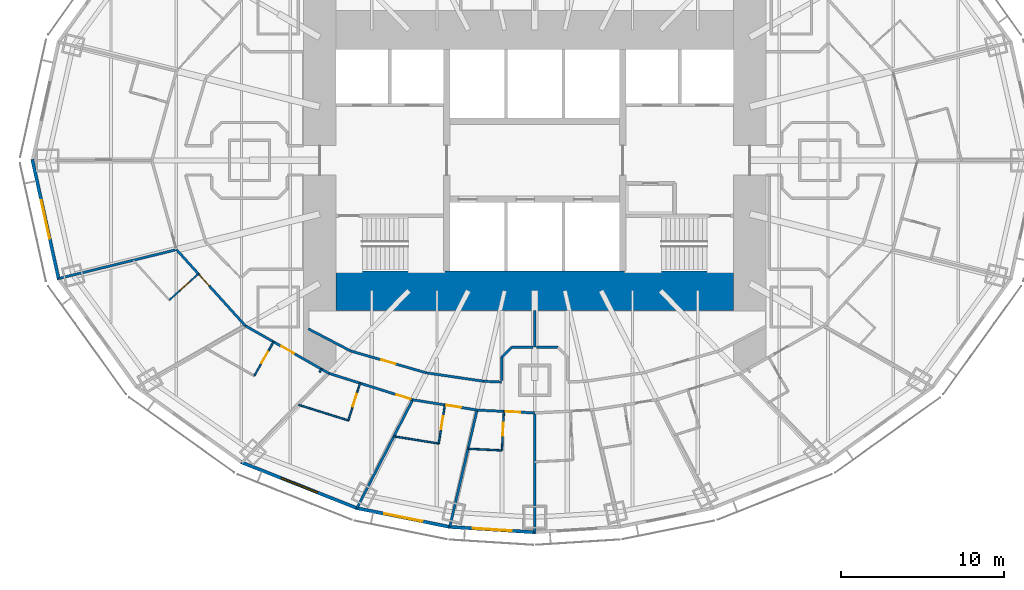
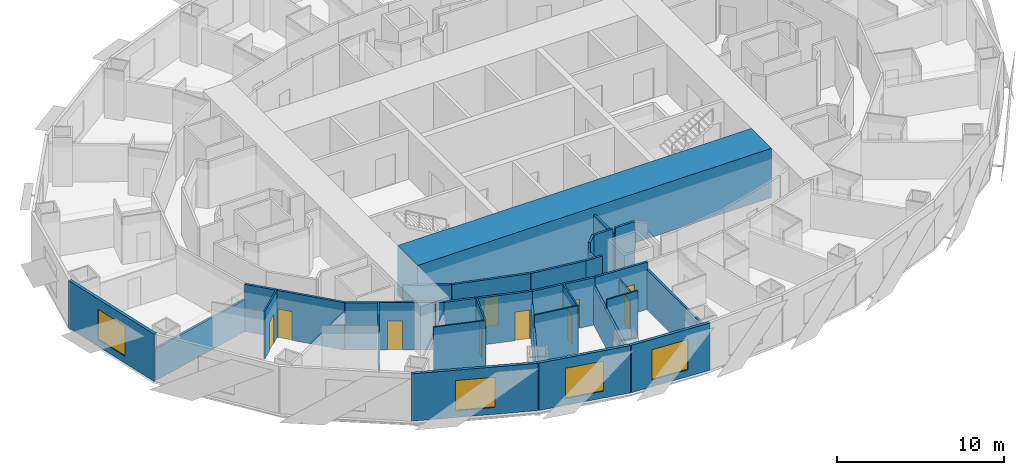
# One storey, part 5 of 17: 32 walls, 11 doors, 4 windows, 15 openings.
"""IFC4 building model written with IfcOpenShell, lengths in metres."""

from ifc_helpers import new_model, si_unit, direction, frame, frame_2d, origin, place, context, subcontext, project, spatial, rectangle, extrude, material, layer, layer_set, type_object, element, fill, save


model = new_model("IFC4")

# Units and contexts
model_context = context("Model", 3, precision=1e-05, world=origin(), true_north=direction((0.0, 1.0)))
body_context = subcontext(model_context, "Body", "Model", "MODEL_VIEW")
ifc_project = project(units=[si_unit("LENGTHUNIT", "METRE"), si_unit("AREAUNIT", "SQUARE_METRE"), si_unit("VOLUMEUNIT", "CUBIC_METRE"), si_unit("PLANEANGLEUNIT", "RADIAN"), si_unit("MASSUNIT", "GRAM", prefix="KILO")], contexts=[model_context])

# Site, building, storey
site_placement = place(None, origin())
site = spatial("IfcSite", under=ifc_project, at=site_placement, CompositionType="ELEMENT")
building_placement = place(site_placement, origin())
building = spatial("IfcBuilding", under=site, at=building_placement, Name="Lantaw Convention Tower", CompositionType="ELEMENT")
storey_placement = place(building_placement, frame((0.0, 0.0, 37.0)))
storey = spatial("IfcBuildingStorey", under=building, at=storey_placement, Name="L06", CompositionType="ELEMENT", Elevation=37.0)

# Walls
ifc_material_1 = material(Name="Gypsum board on steel studs", Category="steel")
ifc_layer_1 = layer(ifc_material_1, 0.14990234375)
ifc_layer_set_1 = layer_set([ifc_layer_1], Name="Back of house wall 150")
wall_type_1 = type_object("IfcWallType", Name="Back of house wall 150", PredefinedType="PARTITIONING", material=ifc_layer_set_1)
wall_1_placement = place(storey_placement, frame((0.0, -9.199951171875, 0.0), z_axis=(0.0, 0.0, 1.0), x_axis=(0.0, -1.0, 0.0)))
element("IfcWall", 1, at=wall_1_placement, inside=storey, type_object=wall_type_1, Name="Back of house wall 150", PredefinedType="PARTITIONING", context=body_context, shape_type="SweptSolid", body=[
    extrude(rectangle(XDim=2.26513671875, YDim=0.14990234375, at=frame_2d((1.132568359375, 0.0))), origin(), (0.0, 0.0, 1.0), 3.043701171875),
])
wall_2_placement = place(storey_placement, frame((-2.02490234375, -13.502685546875, 0.0), z_axis=(0.0, 0.0, 1.0), x_axis=(0.0, 1.0, 0.0)))
element("IfcWall", 2, at=wall_2_placement, inside=storey, type_object=wall_type_1, Name="Back of house wall 150", PredefinedType="PARTITIONING", context=body_context, shape_type="SweptSolid", body=[
    extrude(rectangle(XDim=1.42724609375, YDim=0.14990234375, at=frame_2d((0.713623046875, 0.0))), origin(), (0.0, 0.0, 1.0), 2.7490234375),
])
wall_3_placement = place(storey_placement, frame((-2.02490234375, -12.075439453125, 0.0), z_axis=(0.0, 0.0, 1.0), x_axis=(0.707106781187, 0.707106781187, 0.0)))
element("IfcWall", 3, at=wall_3_placement, inside=storey, type_object=wall_type_1, Name="Back of house wall 150", PredefinedType="PARTITIONING", context=body_context, shape_type="SweptSolid", body=[
    extrude(rectangle(XDim=0.84912109375, YDim=0.14990234375, at=frame_2d((0.424560546875, 0.0))), origin(), (0.0, 0.0, 1.0), 3.449951171875),
])
for number, where, z_axis, x_axis, name in (
    (4, (-1.424560546875, -11.47509765625, 0.0), (0.0, 0.0, 1.0), (1.0, 0.0, 0.0), "Back of house wall 150"),
    (5, (0.103271484375, -11.47509765625, 0.0), (0.0, 0.0, 1.0), (1.0, 0.0, 0.0), "Back of house wall 150"),
):
    element("IfcWall", number, at=place(storey_placement, frame(where, z_axis=z_axis, x_axis=x_axis)), inside=storey, type_object=wall_type_1, Name=name, PredefinedType="PARTITIONING", context=body_context, shape_type="SweptSolid", body=[
        extrude(rectangle(XDim=1.3212890625, YDim=0.14990234375, at=frame_2d((0.66064453125, 0.0))), origin(), (0.0, 0.0, 1.0), 3.449951171875),
    ])

# Wall, opening, door
ifc_material_2 = material(Name="Moisture resistant gypsum board on steel studs", Category="steel")
ifc_layer_2 = layer(ifc_material_2, 0.10009765625)
ifc_layer_set_2 = layer_set([ifc_layer_2], Name="Bathroom wall 100")
wall_type_2 = type_object("IfcWallType", Name="Bathroom wall 100", PredefinedType="PARTITIONING", material=ifc_layer_set_2)
wall_4_placement = place(storey_placement, frame((-20.640625, -6.96435546875, 0.0), z_axis=(0.0, 0.0, 1.0), x_axis=(-0.741861025859, -0.670553665496, 0.0)))
wall_4 = element("IfcWall", 6, at=wall_4_placement, inside=storey, type_object=wall_type_2, Name="Bathroom wall 100", PredefinedType="PARTITIONING", context=body_context, shape_type="SweptSolid", body=[
    extrude(rectangle(XDim=2.400146484375, YDim=0.10009765625, at=frame_2d((1.2001953125, 0.0))), origin(), (0.0, 0.0, 1.0), 3.449951171875),
])
opening_1_placement = place(wall_4_placement, frame((0.699951171875, 0.0, 0.0)))
opening_1 = element("IfcOpeningElement", 7, at=opening_1_placement, cuts=wall_4, Name="Opening L06.50", PredefinedType="OPENING", context=body_context, shape_type="SweptSolid", body=[
    extrude(rectangle(XDim=0.800048828125, YDim=2.10009765625, at=frame_2d((0.39990234375, 1.050048828125))), frame((0.0, 0.06005859375, 0.0), z_axis=(0.0, -1.0, 0.0), x_axis=(1.0, 0.0, 0.0)), (0.0, 0.0, 1.0), 0.1201171875),
])
ifc_material_3 = material(Name="Timber", Category="wood")
door_type_1 = type_object("IfcDoorType", Name="Bathroom door 800", OperationType="SINGLE_SWING_LEFT", PredefinedType="DOOR", material=ifc_material_3)
door_1_placement = place(opening_1_placement, origin())
door_1 = element("IfcDoor", 8, at=door_1_placement, inside=storey, type_object=door_type_1, Name="Bathroom door", OperationType="SINGLE_SWING_LEFT", OverallHeight=2.10009765625, OverallWidth=0.800048828125, PredefinedType="DOOR", context=body_context, shape_type="SweptSolid", body=[
    extrude(rectangle(XDim=0.800048828125, YDim=2.10009765625, at=frame_2d((0.39990234375, 1.050048828125))), frame((0.0, 0.02490234375, 0.0), z_axis=(0.0, -1.0, 0.0), x_axis=(1.0, 0.0, 0.0)), (0.0, 0.0, 1.0), 0.050048828125),
])
fill(opening_1, door_1)

wall_5_placement = place(storey_placement, frame((-16.023193359375, -11.138671875, 0.0), z_axis=(0.0, 0.0, 1.0), x_axis=(-0.494659381266, -0.869086932663, 0.0)))
wall_5 = element("IfcWall", 9, at=wall_5_placement, inside=storey, type_object=wall_type_2, Name="Bathroom wall 100", PredefinedType="PARTITIONING", context=body_context, shape_type="SweptSolid", body=[
    extrude(rectangle(XDim=2.400146484375, YDim=0.10009765625, at=frame_2d((1.2001953125, 0.0))), origin(), (0.0, 0.0, 1.0), 3.449951171875),
])
opening_2_placement = place(wall_5_placement, frame((0.699951171875, 0.0, 0.0)))
opening_2 = element("IfcOpeningElement", 10, at=opening_2_placement, cuts=wall_5, Name="Opening L06.52", PredefinedType="OPENING", context=body_context, shape_type="SweptSolid", body=[
    extrude(rectangle(XDim=0.800048828125, YDim=2.10009765625, at=frame_2d((0.39990234375, 1.050048828125))), frame((0.0, 0.06005859375, 0.0), z_axis=(0.0, -1.0, 0.0), x_axis=(1.0, 0.0, 0.0)), (0.0, 0.0, 1.0), 0.1201171875),
])
door_2_placement = place(opening_2_placement, origin())
door_2 = element("IfcDoor", 11, at=door_2_placement, inside=storey, type_object=door_type_1, Name="Bathroom door", OperationType="SINGLE_SWING_LEFT", OverallHeight=2.10009765625, OverallWidth=0.800048828125, PredefinedType="DOOR", context=body_context, shape_type="SweptSolid", body=[
    extrude(rectangle(XDim=0.800048828125, YDim=2.10009765625, at=frame_2d((0.39990234375, 1.050048828125))), frame((0.0, 0.02490234375, 0.0), z_axis=(0.0, -1.0, 0.0), x_axis=(1.0, 0.0, 0.0)), (0.0, 0.0, 1.0), 0.050048828125),
])
fill(opening_2, door_2)

wall_6_placement = place(storey_placement, frame((-10.71728515625, -13.67431640625, 0.0), z_axis=(0.0, 0.0, 1.0), x_axis=(-0.30049839721, -0.953782319649, 0.0)))
wall_6 = element("IfcWall", 12, at=wall_6_placement, inside=storey, type_object=wall_type_2, Name="Bathroom wall 100", PredefinedType="PARTITIONING", context=body_context, shape_type="SweptSolid", body=[
    extrude(rectangle(XDim=2.39990234375, YDim=0.10009765625, at=frame_2d((1.199951171875, 0.0))), origin(), (0.0, 0.0, 1.0), 3.449951171875),
])
opening_3_placement = place(wall_6_placement, frame((0.699951171875, 0.0, 0.0)))
opening_3 = element("IfcOpeningElement", 13, at=opening_3_placement, cuts=wall_6, Name="Opening L06.54", PredefinedType="OPENING", context=body_context, shape_type="SweptSolid", body=[
    extrude(rectangle(XDim=0.800048828125, YDim=2.10009765625, at=frame_2d((0.39990234375, 1.050048828125))), frame((0.0, 0.06005859375, 0.0), z_axis=(0.0, -1.0, 0.0), x_axis=(1.0, 0.0, 0.0)), (0.0, 0.0, 1.0), 0.1201171875),
])
door_3_placement = place(opening_3_placement, origin())
door_3 = element("IfcDoor", 14, at=door_3_placement, inside=storey, type_object=door_type_1, Name="Bathroom door", OperationType="SINGLE_SWING_LEFT", OverallHeight=2.10009765625, OverallWidth=0.800048828125, PredefinedType="DOOR", context=body_context, shape_type="SweptSolid", body=[
    extrude(rectangle(XDim=0.800048828125, YDim=2.10009765625, at=frame_2d((0.39990234375, 1.050048828125))), frame((0.0, 0.02490234375, 0.0), z_axis=(0.0, -1.0, 0.0), x_axis=(1.0, 0.0, 0.0)), (0.0, 0.0, 1.0), 0.050048828125),
])
fill(opening_3, door_3)

# Wall
wall_7_placement = place(storey_placement, frame((-11.4384765625, -15.96337890625, 0.0), z_axis=(0.0, 0.0, 1.0), x_axis=(-0.953784420519, 0.300491728963, 0.0)))
element("IfcWall", 15, at=wall_7_placement, inside=storey, type_object=wall_type_2, Name="Bathroom wall 100", PredefinedType="PARTITIONING", context=body_context, shape_type="SweptSolid", body=[
    extrude(rectangle(XDim=3.197021484375, YDim=0.10009765625, at=frame_2d((1.5986328125, 0.0))), origin(), (0.0, 0.0, 1.0), 3.449951171875),
])

# Wall, opening, door
wall_8_placement = place(storey_placement, frame((-5.51123046875, -15.008056640625, 0.0), z_axis=(0.0, 0.0, 1.0), x_axis=(-0.157780217218, -0.987474254376, 0.0)))
wall_8 = element("IfcWall", 16, at=wall_8_placement, inside=storey, type_object=wall_type_2, Name="Bathroom wall 100", PredefinedType="PARTITIONING", context=body_context, shape_type="SweptSolid", body=[
    extrude(rectangle(XDim=2.39990234375, YDim=0.10009765625, at=frame_2d((1.199951171875, 0.0))), origin(), (0.0, 0.0, 1.0), 3.449951171875),
])
opening_4_placement = place(wall_8_placement, frame((0.699951171875, 0.0, 0.0)))
opening_4 = element("IfcOpeningElement", 17, at=opening_4_placement, cuts=wall_8, Name="Opening L06.56", PredefinedType="OPENING", context=body_context, shape_type="SweptSolid", body=[
    extrude(rectangle(XDim=0.800048828125, YDim=2.10009765625, at=frame_2d((0.39990234375, 1.050048828125))), frame((0.0, 0.06005859375, 0.0), z_axis=(0.0, -1.0, 0.0), x_axis=(1.0, 0.0, 0.0)), (0.0, 0.0, 1.0), 0.1201171875),
])
door_4_placement = place(opening_4_placement, origin())
door_4 = element("IfcDoor", 18, at=door_4_placement, inside=storey, type_object=door_type_1, Name="Bathroom door", OperationType="SINGLE_SWING_LEFT", OverallHeight=2.10009765625, OverallWidth=0.800048828125, PredefinedType="DOOR", context=body_context, shape_type="SweptSolid", body=[
    extrude(rectangle(XDim=0.800048828125, YDim=2.10009765625, at=frame_2d((0.39990234375, 1.050048828125))), frame((0.0, 0.02490234375, 0.0), z_axis=(0.0, -1.0, 0.0), x_axis=(1.0, 0.0, 0.0)), (0.0, 0.0, 1.0), 0.050048828125),
])
fill(opening_4, door_4)

# Wall
wall_9_placement = place(storey_placement, frame((-5.889892578125, -17.3779296875, 0.0), z_axis=(0.0, 0.0, 1.0), x_axis=(-0.987476824576, 0.15776413067, 0.0)))
element("IfcWall", 19, at=wall_9_placement, inside=storey, type_object=wall_type_2, Name="Bathroom wall 100", PredefinedType="PARTITIONING", context=body_context, shape_type="SweptSolid", body=[
    extrude(rectangle(XDim=2.776123046875, YDim=0.10009765625, at=frame_2d((1.38818359375, 0.0))), origin(), (0.0, 0.0, 1.0), 3.449951171875),
])

# Wall, opening, door
wall_10_placement = place(storey_placement, frame((-1.8896484375, -15.40576171875, 0.0), z_axis=(0.0, 0.0, 1.0), x_axis=(-0.049947764234, -0.998751831462, 0.0)))
wall_10 = element("IfcWall", 20, at=wall_10_placement, inside=storey, type_object=wall_type_2, Name="Bathroom wall 100", PredefinedType="PARTITIONING", context=body_context, shape_type="SweptSolid", body=[
    extrude(rectangle(XDim=2.39990234375, YDim=0.10009765625, at=frame_2d((1.199951171875, 0.0))), origin(), (0.0, 0.0, 1.0), 2.7490234375),
])
opening_5_placement = place(wall_10_placement, frame((0.699951171875, 0.0, 0.0)))
opening_5 = element("IfcOpeningElement", 21, at=opening_5_placement, cuts=wall_10, Name="Opening L06.58", PredefinedType="OPENING", context=body_context, shape_type="SweptSolid", body=[
    extrude(rectangle(XDim=0.800048828125, YDim=2.10009765625, at=frame_2d((0.39990234375, 1.050048828125))), frame((0.0, 0.06005859375, 0.0), z_axis=(0.0, -1.0, 0.0), x_axis=(1.0, 0.0, 0.0)), (0.0, 0.0, 1.0), 0.1201171875),
])
door_5_placement = place(opening_5_placement, origin())
door_5 = element("IfcDoor", 22, at=door_5_placement, inside=storey, type_object=door_type_1, Name="Bathroom door", OperationType="SINGLE_SWING_LEFT", OverallHeight=2.10009765625, OverallWidth=0.800048828125, PredefinedType="DOOR", context=body_context, shape_type="SweptSolid", body=[
    extrude(rectangle(XDim=0.800048828125, YDim=2.10009765625, at=frame_2d((0.39990234375, 1.050048828125))), frame((0.0, 0.02490234375, 0.0), z_axis=(0.0, -1.0, 0.0), x_axis=(1.0, 0.0, 0.0)), (0.0, 0.0, 1.0), 0.050048828125),
])
fill(opening_5, door_5)

# Walls
wall_11_placement = place(storey_placement, frame((-2.009521484375, -17.802734375, 0.0), z_axis=(0.0, 0.0, 1.0), x_axis=(-0.998754095132, 0.049902479477, 0.0)))
element("IfcWall", 23, at=wall_11_placement, inside=storey, type_object=wall_type_2, Name="Bathroom wall 100", PredefinedType="PARTITIONING", context=body_context, shape_type="SweptSolid", body=[
    extrude(rectangle(XDim=2.079345703125, YDim=0.10009765625, at=frame_2d((1.03955078125, 0.0))), origin(), (0.0, 0.0, 1.0), 3.449951171875),
])
ifc_material_4 = material(Name="Concrete C60/75", Category="concrete")
ifc_layer_3 = layer(ifc_material_4, 2.39990234375)
ifc_layer_set_3 = layer_set([ifc_layer_3], Name="Core wall 2400")
wall_type_3 = type_object("IfcWallType", Name="Core wall 2400", PredefinedType="SHEAR", material=ifc_layer_set_3)
wall_12_placement = place(storey_placement, frame((-12.199951171875, -8.0, 0.0), z_axis=(0.0, 0.0, 1.0), x_axis=(1.0, 0.0, 0.0)))
element("IfcWall", 24, at=wall_12_placement, inside=storey, type_object=wall_type_3, Name="Core wall S", PredefinedType="SHEAR", context=body_context, shape_type="SweptSolid", body=[
    extrude(rectangle(XDim=24.39990234375, YDim=2.39990234375, at=frame_2d((12.199951171875, 0.0))), origin(), (0.0, 0.0, 1.0), 3.60009765625),
])

# Wall, opening, door
ifc_material_5 = material(Name="Gypsum board on steel studs, fire rated", Category="steel")
ifc_layer_4 = layer(ifc_material_5, 0.14990234375)
ifc_layer_set_4 = layer_set([ifc_layer_4], Name="Corridor wall 150 EI 60")
wall_type_4 = type_object("IfcWallType", Name="Corridor wall 150 EI 60", PredefinedType="PARTITIONING", material=ifc_layer_set_4)
wall_13_placement = place(storey_placement, frame((-21.98193359375, -5.480712890625, 0.0), z_axis=(0.0, 0.0, 1.0), x_axis=(0.670598380282, -0.741820606591, 0.0)))
wall_13 = element("IfcWall", 25, at=wall_13_placement, inside=storey, type_object=wall_type_4, Name="Corridor wall 150", PredefinedType="PARTITIONING", context=body_context, shape_type="SweptSolid", body=[
    extrude(rectangle(XDim=6.29345703125, YDim=0.14990234375, at=frame_2d((3.146728515625, 0.0))), origin(), (0.0, 0.0, 1.0), 3.449951171875),
])
opening_6_placement = place(wall_13_placement, frame((2.10009765625, 0.0, 0.0)))
opening_6 = element("IfcOpeningElement", 26, at=opening_6_placement, cuts=wall_13, Name="Opening L06.51", PredefinedType="OPENING", context=body_context, shape_type="SweptSolid", body=[
    extrude(rectangle(XDim=0.89990234375, YDim=2.10009765625, at=frame_2d((0.449951171875, 1.050048828125))), frame((0.0, 0.0849609375, 0.0), z_axis=(0.0, -1.0, 0.0), x_axis=(1.0, 0.0, 0.0)), (0.0, 0.0, 1.0), 0.169921875),
])
ifc_material_6 = material(Name="Steel, fire rated", Category="steel")
door_type_2 = type_object("IfcDoorType", Name="Guest room entrance door FD30S", OperationType="SINGLE_SWING_LEFT", PredefinedType="DOOR", material=ifc_material_6)
door_6_placement = place(opening_6_placement, origin())
door_6 = element("IfcDoor", 27, at=door_6_placement, inside=storey, type_object=door_type_2, Name="Guest room entrance door", OperationType="SINGLE_SWING_LEFT", OverallHeight=2.10009765625, OverallWidth=0.89990234375, PredefinedType="DOOR", context=body_context, shape_type="SweptSolid", body=[
    extrude(rectangle(XDim=0.89990234375, YDim=2.10009765625, at=frame_2d((0.449951171875, 1.050048828125))), frame((0.0, 0.02490234375, 0.0), z_axis=(0.0, -1.0, 0.0), x_axis=(1.0, 0.0, 0.0)), (0.0, 0.0, 1.0), 0.050048828125),
])
fill(opening_6, door_6)

wall_14_placement = place(storey_placement, frame((-17.761474609375, -10.1494140625, 0.0), z_axis=(0.0, 0.0, 1.0), x_axis=(0.86907565943, -0.494679187136, 0.0)))
wall_14 = element("IfcWall", 28, at=wall_14_placement, inside=storey, type_object=wall_type_4, Name="Corridor wall 150", PredefinedType="PARTITIONING", context=body_context, shape_type="SweptSolid", body=[
    extrude(rectangle(XDim=5.91064453125, YDim=0.14990234375, at=frame_2d((2.955322265625, 0.0))), origin(), (0.0, 0.0, 1.0), 3.449951171875),
])
opening_7_placement = place(wall_14_placement, frame((2.550048828125, 0.0, 0.0)))
opening_7 = element("IfcOpeningElement", 29, at=opening_7_placement, cuts=wall_14, Name="Opening L06.53", PredefinedType="OPENING", context=body_context, shape_type="SweptSolid", body=[
    extrude(rectangle(XDim=0.89990234375, YDim=2.10009765625, at=frame_2d((0.449951171875, 1.050048828125))), frame((0.0, 0.0849609375, 0.0), z_axis=(0.0, -1.0, 0.0), x_axis=(1.0, 0.0, 0.0)), (0.0, 0.0, 1.0), 0.169921875),
])
door_7_placement = place(opening_7_placement, origin())
door_7 = element("IfcDoor", 30, at=door_7_placement, inside=storey, type_object=door_type_2, Name="Guest room entrance door", OperationType="SINGLE_SWING_LEFT", OverallHeight=2.10009765625, OverallWidth=0.89990234375, PredefinedType="DOOR", context=body_context, shape_type="SweptSolid", body=[
    extrude(rectangle(XDim=0.89990234375, YDim=2.10009765625, at=frame_2d((0.449951171875, 1.050048828125))), frame((0.0, 0.02490234375, 0.0), z_axis=(0.0, -1.0, 0.0), x_axis=(1.0, 0.0, 0.0)), (0.0, 0.0, 1.0), 0.050048828125),
])
fill(opening_7, door_7)

wall_15_placement = place(storey_placement, frame((-12.624755859375, -13.0732421875, 0.0), z_axis=(0.0, 0.0, 1.0), x_axis=(0.953774229808, -0.30052407317, 0.0)))
wall_15 = element("IfcWall", 31, at=wall_15_placement, inside=storey, type_object=wall_type_4, Name="Corridor wall 150", PredefinedType="PARTITIONING", context=body_context, shape_type="SweptSolid", body=[
    extrude(rectangle(XDim=5.3876953125, YDim=0.14990234375, at=frame_2d((2.69384765625, 0.0))), origin(), (0.0, 0.0, 1.0), 3.449951171875),
])
opening_8_placement = place(wall_15_placement, frame((4.337646484375, 0.0, 0.0)))
opening_8 = element("IfcOpeningElement", 32, at=opening_8_placement, cuts=wall_15, Name="Opening L06.55", PredefinedType="OPENING", context=body_context, shape_type="SweptSolid", body=[
    extrude(rectangle(XDim=0.89990234375, YDim=2.10009765625, at=frame_2d((0.449951171875, 1.050048828125))), frame((0.0, 0.0849609375, 0.0), z_axis=(0.0, -1.0, 0.0), x_axis=(1.0, 0.0, 0.0)), (0.0, 0.0, 1.0), 0.169921875),
])
door_8_placement = place(opening_8_placement, origin())
door_8 = element("IfcDoor", 33, at=door_8_placement, inside=storey, type_object=door_type_2, Name="Guest room entrance door", OperationType="SINGLE_SWING_LEFT", OverallHeight=2.10009765625, OverallWidth=0.89990234375, PredefinedType="DOOR", context=body_context, shape_type="SweptSolid", body=[
    extrude(rectangle(XDim=0.89990234375, YDim=2.10009765625, at=frame_2d((0.449951171875, 1.050048828125))), frame((0.0, 0.02490234375, 0.0), z_axis=(0.0, -1.0, 0.0), x_axis=(1.0, 0.0, 0.0)), (0.0, 0.0, 1.0), 0.050048828125),
])
fill(opening_8, door_8)

wall_16_placement = place(storey_placement, frame((-7.486083984375, -14.6923828125, 0.0), z_axis=(0.0, 0.0, 1.0), x_axis=(0.987475660646, -0.157771415761, 0.0)))
wall_16 = element("IfcWall", 34, at=wall_16_placement, inside=storey, type_object=wall_type_4, Name="Corridor wall 150", PredefinedType="PARTITIONING", context=body_context, shape_type="SweptSolid", body=[
    extrude(rectangle(XDim=3.99853515625, YDim=0.14990234375, at=frame_2d((1.999267578125, 0.0))), origin(), (0.0, 0.0, 1.0), 3.449951171875),
])
opening_9_placement = place(wall_16_placement, frame((2.10009765625, 0.0, 0.0)))
opening_9 = element("IfcOpeningElement", 35, at=opening_9_placement, cuts=wall_16, Name="Opening L06.57", PredefinedType="OPENING", context=body_context, shape_type="SweptSolid", body=[
    extrude(rectangle(XDim=0.89990234375, YDim=2.10009765625, at=frame_2d((0.449951171875, 1.050048828125))), frame((0.0, 0.0849609375, 0.0), z_axis=(0.0, -1.0, 0.0), x_axis=(1.0, 0.0, 0.0)), (0.0, 0.0, 1.0), 0.169921875),
])
door_9_placement = place(opening_9_placement, origin())
door_9 = element("IfcDoor", 36, at=door_9_placement, inside=storey, type_object=door_type_2, Name="Guest room entrance door", OperationType="SINGLE_SWING_LEFT", OverallHeight=2.10009765625, OverallWidth=0.89990234375, PredefinedType="DOOR", context=body_context, shape_type="SweptSolid", body=[
    extrude(rectangle(XDim=0.89990234375, YDim=2.10009765625, at=frame_2d((0.449951171875, 1.050048828125))), frame((0.0, 0.02490234375, 0.0), z_axis=(0.0, -1.0, 0.0), x_axis=(1.0, 0.0, 0.0)), (0.0, 0.0, 1.0), 0.050048828125),
])
fill(opening_9, door_9)

wall_17_placement = place(storey_placement, frame((-3.53759765625, -15.3232421875, 0.0), z_axis=(0.0, 0.0, 1.0), x_axis=(0.998754057167, -0.049903239295, 0.0)))
wall_17 = element("IfcWall", 37, at=wall_17_placement, inside=storey, type_object=wall_type_4, Name="Corridor wall 150", PredefinedType="PARTITIONING", context=body_context, shape_type="SweptSolid", body=[
    extrude(rectangle(XDim=3.5419921875, YDim=0.14990234375, at=frame_2d((1.77099609375, 0.0))), origin(), (0.0, 0.0, 1.0), 3.449951171875),
])
opening_10_placement = place(wall_17_placement, frame((1.75, 0.0, 0.0)))
opening_10 = element("IfcOpeningElement", 38, at=opening_10_placement, cuts=wall_17, Name="Opening L06.59", PredefinedType="OPENING", context=body_context, shape_type="SweptSolid", body=[
    extrude(rectangle(XDim=0.89990234375, YDim=2.10009765625, at=frame_2d((0.449951171875, 1.050048828125))), frame((0.0, 0.0849609375, 0.0), z_axis=(0.0, -1.0, 0.0), x_axis=(1.0, 0.0, 0.0)), (0.0, 0.0, 1.0), 0.169921875),
])
door_10_placement = place(opening_10_placement, origin())
door_10 = element("IfcDoor", 39, at=door_10_placement, inside=storey, type_object=door_type_2, Name="Guest room entrance door", OperationType="SINGLE_SWING_LEFT", OverallHeight=2.10009765625, OverallWidth=0.89990234375, PredefinedType="DOOR", context=body_context, shape_type="SweptSolid", body=[
    extrude(rectangle(XDim=0.89990234375, YDim=2.10009765625, at=frame_2d((0.449951171875, 1.050048828125))), frame((0.0, 0.02490234375, 0.0), z_axis=(0.0, -1.0, 0.0), x_axis=(1.0, 0.0, 0.0)), (0.0, 0.0, 1.0), 0.050048828125),
])
fill(opening_10, door_10)

wall_18_placement = place(storey_placement, frame((-11.296142578125, -11.697509765625, 0.0), z_axis=(0.0, 0.0, 1.0), x_axis=(0.960678318068, -0.277663770041, 0.0)))
wall_18 = element("IfcWall", 40, at=wall_18_placement, inside=storey, type_object=wall_type_4, Name="Corridor wall 150", PredefinedType="PARTITIONING", context=body_context, shape_type="SweptSolid", body=[
    extrude(rectangle(XDim=4.84130859375, YDim=0.14990234375, at=frame_2d((2.420654296875, 0.0))), origin(), (0.0, 0.0, 1.0), 3.449951171875),
])
opening_11_placement = place(wall_18_placement, frame((1.970703125, 0.0, 0.0)))
opening_11 = element("IfcOpeningElement", 41, at=opening_11_placement, cuts=wall_18, Name="Opening L06.21", PredefinedType="OPENING", context=body_context, shape_type="SweptSolid", body=[
    extrude(rectangle(XDim=0.89990234375, YDim=2.10009765625, at=frame_2d((0.449951171875, 1.050048828125))), frame((0.0, 0.0849609375, 0.0), z_axis=(0.0, -1.0, 0.0), x_axis=(1.0, 0.0, 0.0)), (0.0, 0.0, 1.0), 0.169921875),
])
door_type_3 = type_object("IfcDoorType", Name="Service door 900 FD30", OperationType="SINGLE_SWING_LEFT", PredefinedType="DOOR", material=ifc_material_6)
door_11_placement = place(opening_11_placement, origin())
door_11 = element("IfcDoor", 42, at=door_11_placement, inside=storey, type_object=door_type_3, Name="Staff locker room door", OperationType="SINGLE_SWING_LEFT", OverallHeight=2.10009765625, OverallWidth=0.89990234375, PredefinedType="DOOR", context=body_context, shape_type="SweptSolid", body=[
    extrude(rectangle(XDim=0.89990234375, YDim=2.10009765625, at=frame_2d((0.449951171875, 1.050048828125))), frame((0.0, 0.02490234375, 0.0), z_axis=(0.0, -1.0, 0.0), x_axis=(1.0, 0.0, 0.0)), (0.0, 0.0, 1.0), 0.050048828125),
])
fill(opening_11, door_11)

# Walls
wall_19_placement = place(storey_placement, frame((-6.645263671875, -13.041748046875, 0.0), z_axis=(0.0, 0.0, 1.0), x_axis=(0.989443047021, -0.14492224364, 0.0)))
element("IfcWall", 43, at=wall_19_placement, inside=storey, type_object=wall_type_4, Name="Corridor wall 150", PredefinedType="PARTITIONING", context=body_context, shape_type="SweptSolid", body=[
    extrude(rectangle(XDim=3.552978515625, YDim=0.14990234375, at=frame_2d((1.7763671875, 0.0))), origin(), (0.0, 0.0, 1.0), 3.449951171875),
])
wall_20_placement = place(storey_placement, frame((-13.889892578125, -10.342041015625, 0.0), z_axis=(0.0, 0.0, 1.0), x_axis=(0.886275255135, -0.463158905922, 0.0)))
element("IfcWall", 44, at=wall_20_placement, inside=storey, type_object=wall_type_4, Name="Corridor wall 150", PredefinedType="PARTITIONING", context=body_context, shape_type="SweptSolid", body=[
    extrude(rectangle(XDim=2.926513671875, YDim=0.14990234375, at=frame_2d((1.46337890625, 0.0))), origin(), (0.0, 0.0, 1.0), 3.449951171875),
])
wall_21_placement = place(storey_placement, frame((-3.1298828125, -13.556640625, 0.0), z_axis=(0.0, 0.0, 1.0), x_axis=(0.998946843147, -0.045882508292, 0.0)))
element("IfcWall", 45, at=wall_21_placement, inside=storey, type_object=wall_type_4, Name="Corridor wall 150", PredefinedType="PARTITIONING", context=body_context, shape_type="SweptSolid", body=[
    extrude(rectangle(XDim=1.09619140625, YDim=0.14990234375, at=frame_2d((0.548095703125, 0.0))), origin(), (0.0, 0.0, 1.0), 3.449951171875),
])

# Wall, opening, window
ifc_material_7 = material(Name="Insulated aluminium panel on steel frame", Category="steel")
ifc_layer_5 = layer(ifc_material_7, 0.199951171875)
ifc_layer_set_5 = layer_set([ifc_layer_5], Name="External wall 200")
wall_type_5 = type_object("IfcWallType", Name="External wall 200", PredefinedType="SOLIDWALL", material=ifc_layer_set_5)
wall_22_placement = place(storey_placement, frame((-30.83544921875, 0.06689453125, 0.0), z_axis=(0.0, 0.0, 1.0), x_axis=(0.215238065514, -0.976561608478, 0.0)))
wall_22 = element("IfcWall", 46, at=wall_22_placement, inside=storey, type_object=wall_type_5, Name="Facade panel wall", PredefinedType="SOLIDWALL", context=body_context, shape_type="SweptSolid", body=[
    extrude(rectangle(XDim=7.562255859375, YDim=0.199951171875, at=frame_2d((3.78125, 0.0))), origin(), (0.0, 0.0, 1.0), 3.449951171875),
])
opening_12_placement = place(wall_22_placement, frame((2.581298828125, 0.0, 0.5)))
opening_12 = element("IfcOpeningElement", 47, at=opening_12_placement, cuts=wall_22, Name="Opening W1", PredefinedType="OPENING", context=body_context, shape_type="SweptSolid", body=[
    extrude(rectangle(XDim=2.39990234375, YDim=2.199951171875, at=frame_2d((1.199951171875, 1.10009765625))), frame((0.0, 0.10986328125, 0.0), z_axis=(0.0, -1.0, 0.0), x_axis=(1.0, 0.0, 0.0)), (0.0, 0.0, 1.0), 0.219970703125),
])
ifc_material_8 = material(Name="Aluminium frame, clear insulating glass", Category="aluminium")
window_type = type_object("IfcWindowType", Name="Guest room window 2400x2200", PartitioningType="SINGLE_PANEL", PredefinedType="WINDOW", material=ifc_material_8)
window_1_placement = place(opening_12_placement, origin())
window_1 = element("IfcWindow", 48, at=window_1_placement, inside=storey, type_object=window_type, Name="Guest room window", OverallHeight=2.199951171875, OverallWidth=2.39990234375, PartitioningType="SINGLE_PANEL", PredefinedType="WINDOW", context=body_context, shape_type="SweptSolid", body=[
    extrude(rectangle(XDim=2.39990234375, YDim=2.199951171875, at=frame_2d((1.199951171875, 1.10009765625))), frame((0.0, 0.030029296875, 0.0), z_axis=(0.0, -1.0, 0.0), x_axis=(1.0, 0.0, 0.0)), (0.0, 0.0, 1.0), 0.06005859375),
])
fill(opening_12, window_1)

wall_23_placement = place(storey_placement, frame((-18.018310546875, -18.522705078125, 0.0), z_axis=(0.0, 0.0, 1.0), x_axis=(0.929358351251, -0.369178892895, 0.0)))
wall_23 = element("IfcWall", 49, at=wall_23_placement, inside=storey, type_object=wall_type_5, Name="Facade panel wall", PredefinedType="SOLIDWALL", context=body_context, shape_type="SweptSolid", body=[
    extrude(rectangle(XDim=7.6923828125, YDim=0.199951171875, at=frame_2d((3.84619140625, 0.0))), origin(), (0.0, 0.0, 1.0), 3.449951171875),
])
opening_13_placement = place(wall_23_placement, frame((2.64599609375, 0.0, 0.5)))
opening_13 = element("IfcOpeningElement", 50, at=opening_13_placement, cuts=wall_23, Name="Opening W1", PredefinedType="OPENING", context=body_context, shape_type="SweptSolid", body=[
    extrude(rectangle(XDim=2.39990234375, YDim=2.199951171875, at=frame_2d((1.199951171875, 1.10009765625))), frame((0.0, 0.10986328125, 0.0), z_axis=(0.0, -1.0, 0.0), x_axis=(1.0, 0.0, 0.0)), (0.0, 0.0, 1.0), 0.219970703125),
])
window_2_placement = place(opening_13_placement, origin())
window_2 = element("IfcWindow", 51, at=window_2_placement, inside=storey, type_object=window_type, Name="Guest room window", OverallHeight=2.199951171875, OverallWidth=2.39990234375, PartitioningType="SINGLE_PANEL", PredefinedType="WINDOW", context=body_context, shape_type="SweptSolid", body=[
    extrude(rectangle(XDim=2.39990234375, YDim=2.199951171875, at=frame_2d((1.199951171875, 1.10009765625))), frame((0.0, 0.030029296875, 0.0), z_axis=(0.0, -1.0, 0.0), x_axis=(1.0, 0.0, 0.0)), (0.0, 0.0, 1.0), 0.06005859375),
])
fill(opening_13, window_2)

wall_24_placement = place(storey_placement, frame((-10.956787109375, -21.336669921875, 0.0), z_axis=(0.0, 0.0, 1.0), x_axis=(0.980251657452, -0.197754110105, 0.0)))
wall_24 = element("IfcWall", 52, at=wall_24_placement, inside=storey, type_object=wall_type_5, Name="Facade panel wall", PredefinedType="SOLIDWALL", context=body_context, shape_type="SweptSolid", body=[
    extrude(rectangle(XDim=5.90380859375, YDim=0.199951171875, at=frame_2d((2.951904296875, 0.0))), origin(), (0.0, 0.0, 1.0), 3.449951171875),
])
opening_14_placement = place(wall_24_placement, frame((1.751708984375, 0.0, 0.5)))
opening_14 = element("IfcOpeningElement", 53, at=opening_14_placement, cuts=wall_24, Name="Opening W1", PredefinedType="OPENING", context=body_context, shape_type="SweptSolid", body=[
    extrude(rectangle(XDim=2.39990234375, YDim=2.199951171875, at=frame_2d((1.199951171875, 1.10009765625))), frame((0.0, 0.10986328125, 0.0), z_axis=(0.0, -1.0, 0.0), x_axis=(1.0, 0.0, 0.0)), (0.0, 0.0, 1.0), 0.219970703125),
])
window_3_placement = place(opening_14_placement, origin())
window_3 = element("IfcWindow", 54, at=window_3_placement, inside=storey, type_object=window_type, Name="Guest room window", OverallHeight=2.199951171875, OverallWidth=2.39990234375, PartitioningType="SINGLE_PANEL", PredefinedType="WINDOW", context=body_context, shape_type="SweptSolid", body=[
    extrude(rectangle(XDim=2.39990234375, YDim=2.199951171875, at=frame_2d((1.199951171875, 1.10009765625))), frame((0.0, 0.030029296875, 0.0), z_axis=(0.0, -1.0, 0.0), x_axis=(1.0, 0.0, 0.0)), (0.0, 0.0, 1.0), 0.06005859375),
])
fill(opening_14, window_3)

wall_25_placement = place(storey_placement, frame((-5.252685546875, -22.493408203125, 0.0), z_axis=(0.0, 0.0, 1.0), x_axis=(0.998018582375, -0.062919863585, 0.0)))
wall_25 = element("IfcWall", 55, at=wall_25_placement, inside=storey, type_object=wall_type_5, Name="Facade panel wall", PredefinedType="SOLIDWALL", context=body_context, shape_type="SweptSolid", body=[
    extrude(rectangle(XDim=5.30419921875, YDim=0.199951171875, at=frame_2d((2.652099609375, 0.0))), origin(), (0.0, 0.0, 1.0), 3.449951171875),
])
opening_15_placement = place(wall_25_placement, frame((1.4521484375, 0.0, 0.5)))
opening_15 = element("IfcOpeningElement", 56, at=opening_15_placement, cuts=wall_25, Name="Opening W1", PredefinedType="OPENING", context=body_context, shape_type="SweptSolid", body=[
    extrude(rectangle(XDim=2.39990234375, YDim=2.199951171875, at=frame_2d((1.199951171875, 1.10009765625))), frame((0.0, 0.10986328125, 0.0), z_axis=(0.0, -1.0, 0.0), x_axis=(1.0, 0.0, 0.0)), (0.0, 0.0, 1.0), 0.219970703125),
])
window_4_placement = place(opening_15_placement, origin())
window_4 = element("IfcWindow", 57, at=window_4_placement, inside=storey, type_object=window_type, Name="Guest room window", OverallHeight=2.199951171875, OverallWidth=2.39990234375, PartitioningType="SINGLE_PANEL", PredefinedType="WINDOW", context=body_context, shape_type="SweptSolid", body=[
    extrude(rectangle(XDim=2.39990234375, YDim=2.199951171875, at=frame_2d((1.199951171875, 1.10009765625))), frame((0.0, 0.030029296875, 0.0), z_axis=(0.0, -1.0, 0.0), x_axis=(1.0, 0.0, 0.0)), (0.0, 0.0, 1.0), 0.06005859375),
])
fill(opening_15, window_4)

# Walls
ifc_material_9 = material(Name="Gypsum board on steel studs, acoustic", Category="steel")
ifc_layer_6 = layer(ifc_material_9, 0.14990234375)
ifc_layer_set_6 = layer_set([ifc_layer_6], Name="Guest room party wall 150")
wall_type_6 = type_object("IfcWallType", Name="Guest room party wall 150", PredefinedType="PARTITIONING", material=ifc_layer_set_6)
wall_26_placement = place(storey_placement, frame((-29.221923828125, -7.253662109375, 0.0), z_axis=(0.0, 0.0, 1.0), x_axis=(0.97130070913, 0.237854855832, 0.0)))
element("IfcWall", 58, at=wall_26_placement, inside=storey, type_object=wall_type_6, Name="Guest room party wall 150", PredefinedType="PARTITIONING", context=body_context, shape_type="SweptSolid", body=[
    extrude(rectangle(XDim=7.453857421875, YDim=0.14990234375, at=frame_2d((3.72705078125, 0.0))), origin(), (0.0, 0.0, 1.0), 2.33251953125),
])
wall_27_placement = place(storey_placement, frame((-10.911865234375, -21.345703125, 0.0), z_axis=(0.0, 0.0, 1.0), x_axis=(0.45777845119, 0.889066302154, 0.0)))
element("IfcWall", 59, at=wall_27_placement, inside=storey, type_object=wall_type_6, Name="Guest room party wall 150", PredefinedType="PARTITIONING", context=body_context, shape_type="SweptSolid", body=[
    extrude(rectangle(XDim=7.4833984375, YDim=0.14990234375, at=frame_2d((3.74169921875, 0.0))), origin(), (0.0, 0.0, 1.0), 2.528076171875),
])
wall_28_placement = place(storey_placement, frame((-5.2109375, -22.495849609375, 0.0), z_axis=(0.0, 0.0, 1.0), x_axis=(0.227195035564, 0.973849277771, 0.0)))
element("IfcWall", 60, at=wall_28_placement, inside=storey, type_object=wall_type_6, Name="Guest room party wall 150", PredefinedType="PARTITIONING", context=body_context, shape_type="SweptSolid", body=[
    extrude(rectangle(XDim=7.365234375, YDim=0.14990234375, at=frame_2d((3.6826171875, 0.0))), origin(), (0.0, 0.0, 1.0), 2.766845703125),
])
wall_29_placement = place(storey_placement, frame((0.0, -22.82470703125, 0.0), z_axis=(0.0, 0.0, 1.0), x_axis=(0.0, 1.0, 0.0)))
element("IfcWall", 61, at=wall_29_placement, inside=storey, type_object=wall_type_6, Name="Guest room party wall 150", PredefinedType="PARTITIONING", context=body_context, shape_type="SweptSolid", body=[
    extrude(rectangle(XDim=7.32470703125, YDim=0.14990234375, at=frame_2d((3.662353515625, 0.0))), origin(), (0.0, 0.0, 1.0), 2.92431640625),
])
ifc_layer_7 = layer(ifc_material_9, 0.10009765625)
ifc_layer_set_7 = layer_set([ifc_layer_7], Name="Office partition 100")
wall_type_7 = type_object("IfcWallType", Name="Office partition 100", PredefinedType="PARTITIONING", material=ifc_layer_set_7)
wall_30_placement = place(storey_placement, frame((-13.199951171875, -13.0, 0.0), z_axis=(0.0, 0.0, 1.0), x_axis=(0.49435138335, 0.869262164011, 0.0)))
element("IfcWall", 62, at=wall_30_placement, inside=storey, type_object=wall_type_7, Name="Office partition 100", PredefinedType="PARTITIONING", context=body_context, shape_type="SweptSolid", body=[
    extrude(rectangle(XDim=0.220703125, YDim=0.10009765625, at=frame_2d((0.1103515625, 0.0))), origin(), (0.0, 0.0, 1.0), 3.449951171875),
])

save(model, "model.ifc")
